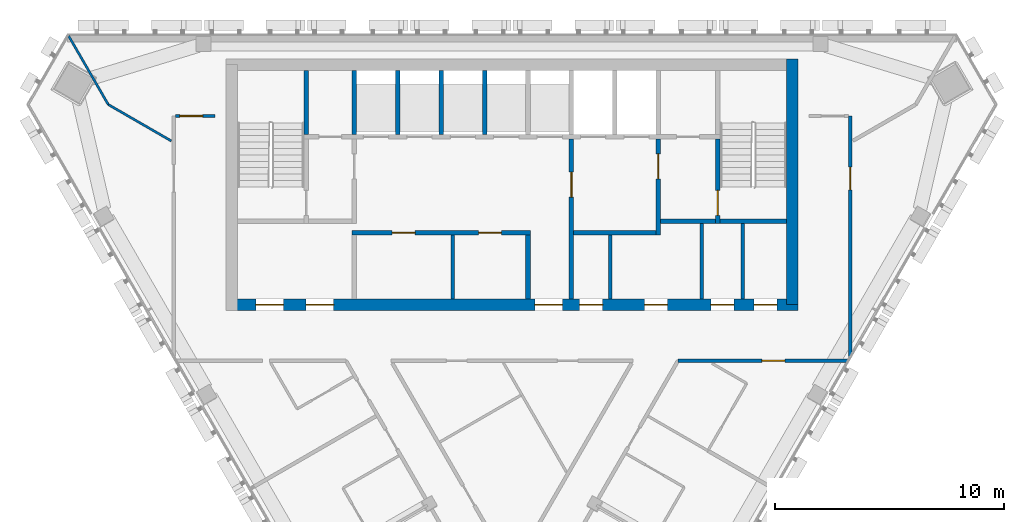
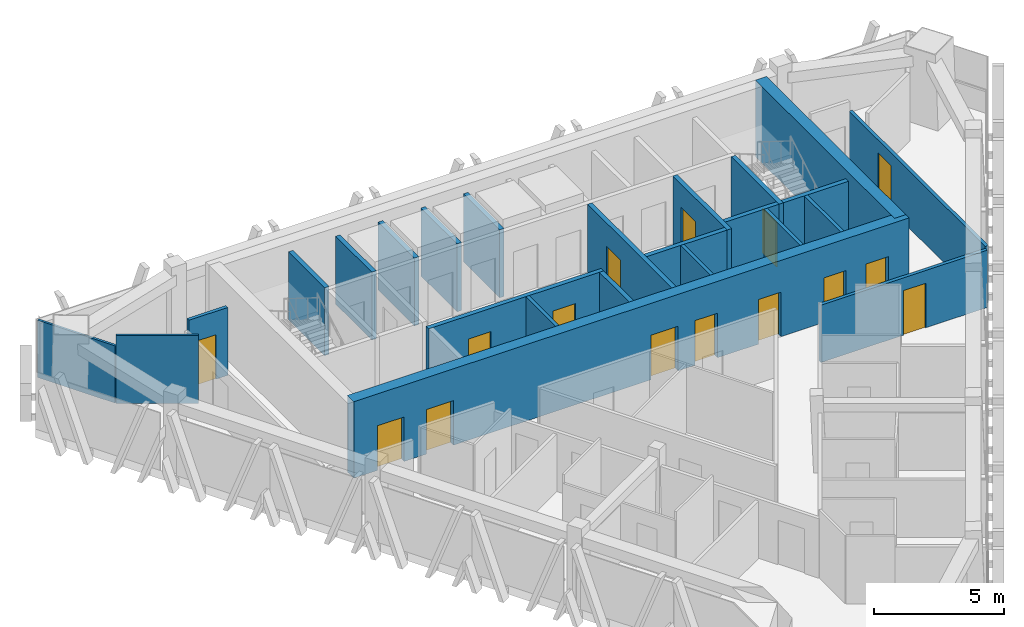
# One storey, part 7 of 11: 24 walls, 15 doors, 15 openings.
"""IFC4 building model written with IfcOpenShell, lengths in metres."""

from ifc_helpers import new_model, si_unit, direction, frame, frame_2d, origin, place, context, subcontext, project, spatial, rectangle, extrude, material, layer, layer_set, type_object, element, fill, save


model = new_model("IFC4")

# Units and contexts
model_context = context("Model", 3, precision=1e-05, world=origin(), true_north=direction((0.0, 1.0)))
body_context = subcontext(model_context, "Body", "Model", "MODEL_VIEW")
ifc_project = project(units=[si_unit("LENGTHUNIT", "METRE"), si_unit("AREAUNIT", "SQUARE_METRE"), si_unit("VOLUMEUNIT", "CUBIC_METRE"), si_unit("PLANEANGLEUNIT", "RADIAN"), si_unit("MASSUNIT", "GRAM", prefix="KILO")], contexts=[model_context])

# Site, building, storey
site_placement = place(None, origin())
site = spatial("IfcSite", under=ifc_project, at=site_placement, CompositionType="ELEMENT")
building_placement = place(site_placement, origin())
building = spatial("IfcBuilding", under=site, at=building_placement, Name="Altiplano Prism Tower", CompositionType="ELEMENT")
storey_placement = place(building_placement, frame((0.0, 0.0, 327.39990234375)))
storey = spatial("IfcBuildingStorey", under=building, at=storey_placement, Name="L85", CompositionType="ELEMENT", Elevation=327.39990234375)

# Wall, openings, doors
ifc_material_1 = material(Name="Concrete C60/75", Category="concrete")
ifc_layer_1 = layer(ifc_material_1, 0.5)
ifc_layer_set_1 = layer_set([ifc_layer_1], Name="Concrete C60/75")
wall_type_1 = type_object("IfcWallType", Name="Core wall 500", PredefinedType="SHEAR", material=ifc_layer_set_1)
wall_1_placement = place(storey_placement, frame((72.75, 93.14990234375, 0.0), z_axis=(0.0, 0.0, 1.0), x_axis=(1.0, 0.0, 0.0)))
wall_1 = element("IfcWall", 1, at=wall_1_placement, inside=storey, type_object=wall_type_1, Name="Core wall S L85", PredefinedType="SHEAR", context=body_context, shape_type="SweptSolid", body=[
    extrude(rectangle(XDim=24.75, YDim=0.5, at=frame_2d((12.375, 0.0))), origin(), (0.0, 0.0, 1.0), 3.60009765625),
])
opening_1_placement = place(wall_1_placement, frame((1.050048828125, 0.0, 0.0)))
opening_1 = element("IfcOpeningElement", 2, at=opening_1_placement, cuts=wall_1, Name="Opening D3789", PredefinedType="OPENING", context=body_context, shape_type="SweptSolid", body=[
    extrude(rectangle(XDim=1.199951171875, YDim=2.10009765625, at=frame_2d((0.60009765625, 1.050048828125))), frame((0.0, 0.260498046875, 0.0), z_axis=(0.0, -1.0, 0.0), x_axis=(1.0, 0.0, 0.0)), (0.0, 0.0, 1.0), 0.52099609375),
])
opening_2_placement = place(wall_1_placement, frame((3.25, 0.0, 0.0)))
opening_2 = element("IfcOpeningElement", 3, at=opening_2_placement, cuts=wall_1, Name="Opening D3790", PredefinedType="OPENING", context=body_context, shape_type="SweptSolid", body=[
    extrude(rectangle(XDim=1.199951171875, YDim=2.10009765625, at=frame_2d((0.60009765625, 1.050048828125))), frame((0.0, 0.260498046875, 0.0), z_axis=(0.0, -1.0, 0.0), x_axis=(1.0, 0.0, 0.0)), (0.0, 0.0, 1.0), 0.52099609375),
])
opening_3_placement = place(wall_1_placement, frame((13.25, 0.0, 0.0)))
opening_3 = element("IfcOpeningElement", 4, at=opening_3_placement, cuts=wall_1, Name="Opening D3791", PredefinedType="OPENING", context=body_context, shape_type="SweptSolid", body=[
    extrude(rectangle(XDim=1.199951171875, YDim=2.10009765625, at=frame_2d((0.60009765625, 1.050048828125))), frame((0.0, 0.260498046875, 0.0), z_axis=(0.0, -1.0, 0.0), x_axis=(1.0, 0.0, 0.0)), (0.0, 0.0, 1.0), 0.52099609375),
])
opening_4_placement = place(wall_1_placement, frame((15.21240234375, 0.0, 0.0)))
opening_4 = element("IfcOpeningElement", 5, at=opening_4_placement, cuts=wall_1, Name="Opening D3794", PredefinedType="OPENING", context=body_context, shape_type="SweptSolid", body=[
    extrude(rectangle(XDim=1.0, YDim=2.10009765625, at=frame_2d((0.5, 1.050048828125))), frame((0.0, 0.260498046875, 0.0), z_axis=(0.0, -1.0, 0.0), x_axis=(1.0, 0.0, 0.0)), (0.0, 0.0, 1.0), 0.52099609375),
])
opening_5_placement = place(wall_1_placement, frame((18.050048828125, 0.0, 0.0)))
opening_5 = element("IfcOpeningElement", 6, at=opening_5_placement, cuts=wall_1, Name="Opening D3795", PredefinedType="OPENING", context=body_context, shape_type="SweptSolid", body=[
    extrude(rectangle(XDim=1.0, YDim=2.10009765625, at=frame_2d((0.5, 1.050048828125))), frame((0.0, 0.260498046875, 0.0), z_axis=(0.0, -1.0, 0.0), x_axis=(1.0, 0.0, 0.0)), (0.0, 0.0, 1.0), 0.52099609375),
])
opening_6_placement = place(wall_1_placement, frame((20.949951171875, 0.0, 0.0)))
opening_6 = element("IfcOpeningElement", 7, at=opening_6_placement, cuts=wall_1, Name="Opening D3796", PredefinedType="OPENING", context=body_context, shape_type="SweptSolid", body=[
    extrude(rectangle(XDim=1.0, YDim=2.10009765625, at=frame_2d((0.5, 1.050048828125))), frame((0.0, 0.260498046875, 0.0), z_axis=(0.0, -1.0, 0.0), x_axis=(1.0, 0.0, 0.0)), (0.0, 0.0, 1.0), 0.52099609375),
])
opening_7_placement = place(wall_1_placement, frame((22.83740234375, 0.0, 0.0)))
opening_7 = element("IfcOpeningElement", 8, at=opening_7_placement, cuts=wall_1, Name="Opening D3797", PredefinedType="OPENING", context=body_context, shape_type="SweptSolid", body=[
    extrude(rectangle(XDim=1.0, YDim=2.10009765625, at=frame_2d((0.5, 1.050048828125))), frame((0.0, 0.260498046875, 0.0), z_axis=(0.0, -1.0, 0.0), x_axis=(1.0, 0.0, 0.0)), (0.0, 0.0, 1.0), 0.52099609375),
])
ifc_material_2 = material(Name="Fire-rated steel door", Category="steel")
door_type_1 = type_object("IfcDoorType", Name="Core room door 1000 x 2100", OperationType="NOTDEFINED", PredefinedType="NOTDEFINED", material=ifc_material_2)
door_1_placement = place(opening_4_placement, origin())
door_1 = element("IfcDoor", 9, at=door_1_placement, inside=storey, type_object=door_type_1, Name="Core room door D3794", OperationType="SINGLE_SWING_RIGHT", OverallHeight=2.10009765625, OverallWidth=1.0, PredefinedType="NOTDEFINED", context=body_context, shape_type="SweptSolid", body=[
    extrude(rectangle(XDim=1.0, YDim=2.10009765625, at=frame_2d((0.5, 1.050048828125))), frame((0.0, 0.02490234375, 0.0), z_axis=(0.0, -1.0, 0.0), x_axis=(1.0, 0.0, 0.0)), (0.0, 0.0, 1.0), 0.050048828125),
])
fill(opening_4, door_1)
door_2_placement = place(opening_5_placement, origin())
door_2 = element("IfcDoor", 10, at=door_2_placement, inside=storey, type_object=door_type_1, Name="Core room door D3795", OperationType="SINGLE_SWING_LEFT", OverallHeight=2.10009765625, OverallWidth=1.0, PredefinedType="NOTDEFINED", context=body_context, shape_type="SweptSolid", body=[
    extrude(rectangle(XDim=1.0, YDim=2.10009765625, at=frame_2d((0.5, 1.050048828125))), frame((0.0, 0.02490234375, 0.0), z_axis=(0.0, -1.0, 0.0), x_axis=(1.0, 0.0, 0.0)), (0.0, 0.0, 1.0), 0.050048828125),
])
fill(opening_5, door_2)
door_3_placement = place(opening_6_placement, origin())
door_3 = element("IfcDoor", 11, at=door_3_placement, inside=storey, type_object=door_type_1, Name="Core room door D3796", OperationType="SINGLE_SWING_RIGHT", OverallHeight=2.10009765625, OverallWidth=1.0, PredefinedType="NOTDEFINED", context=body_context, shape_type="SweptSolid", body=[
    extrude(rectangle(XDim=1.0, YDim=2.10009765625, at=frame_2d((0.5, 1.050048828125))), frame((0.0, 0.02490234375, 0.0), z_axis=(0.0, -1.0, 0.0), x_axis=(1.0, 0.0, 0.0)), (0.0, 0.0, 1.0), 0.050048828125),
])
fill(opening_6, door_3)
door_4_placement = place(opening_7_placement, origin())
door_4 = element("IfcDoor", 12, at=door_4_placement, inside=storey, type_object=door_type_1, Name="Core room door D3797", OperationType="SINGLE_SWING_LEFT", OverallHeight=2.10009765625, OverallWidth=1.0, PredefinedType="NOTDEFINED", context=body_context, shape_type="SweptSolid", body=[
    extrude(rectangle(XDim=1.0, YDim=2.10009765625, at=frame_2d((0.5, 1.050048828125))), frame((0.0, 0.02490234375, 0.0), z_axis=(0.0, -1.0, 0.0), x_axis=(1.0, 0.0, 0.0)), (0.0, 0.0, 1.0), 0.050048828125),
])
fill(opening_7, door_4)
door_type_2 = type_object("IfcDoorType", Name="Lobby fire door 1200 x 2100", OperationType="NOTDEFINED", PredefinedType="NOTDEFINED", material=ifc_material_2)
door_5_placement = place(opening_1_placement, origin())
door_5 = element("IfcDoor", 13, at=door_5_placement, inside=storey, type_object=door_type_2, Name="Lobby fire door D3789", OperationType="SINGLE_SWING_RIGHT", OverallHeight=2.10009765625, OverallWidth=1.199951171875, PredefinedType="NOTDEFINED", context=body_context, shape_type="SweptSolid", body=[
    extrude(rectangle(XDim=1.199951171875, YDim=2.10009765625, at=frame_2d((0.60009765625, 1.050048828125))), frame((0.0, 0.02490234375, 0.0), z_axis=(0.0, -1.0, 0.0), x_axis=(1.0, 0.0, 0.0)), (0.0, 0.0, 1.0), 0.050048828125),
])
fill(opening_1, door_5)
door_6_placement = place(opening_2_placement, origin())
door_6 = element("IfcDoor", 14, at=door_6_placement, inside=storey, type_object=door_type_2, Name="Lobby fire door D3790", OperationType="SINGLE_SWING_LEFT", OverallHeight=2.10009765625, OverallWidth=1.199951171875, PredefinedType="NOTDEFINED", context=body_context, shape_type="SweptSolid", body=[
    extrude(rectangle(XDim=1.199951171875, YDim=2.10009765625, at=frame_2d((0.60009765625, 1.050048828125))), frame((0.0, 0.02490234375, 0.0), z_axis=(0.0, -1.0, 0.0), x_axis=(1.0, 0.0, 0.0)), (0.0, 0.0, 1.0), 0.050048828125),
])
fill(opening_2, door_6)
door_7_placement = place(opening_3_placement, origin())
door_7 = element("IfcDoor", 15, at=door_7_placement, inside=storey, type_object=door_type_2, Name="Lobby fire door D3791", OperationType="SINGLE_SWING_RIGHT", OverallHeight=2.10009765625, OverallWidth=1.199951171875, PredefinedType="NOTDEFINED", context=body_context, shape_type="SweptSolid", body=[
    extrude(rectangle(XDim=1.199951171875, YDim=2.10009765625, at=frame_2d((0.60009765625, 1.050048828125))), frame((0.0, 0.02490234375, 0.0), z_axis=(0.0, -1.0, 0.0), x_axis=(1.0, 0.0, 0.0)), (0.0, 0.0, 1.0), 0.050048828125),
])
fill(opening_3, door_7)

# Walls
wall_2_placement = place(storey_placement, frame((97.25, 93.14990234375, 0.0), z_axis=(0.0, 0.0, 1.0), x_axis=(0.0, 1.0, 0.0)))
element("IfcWall", 16, at=wall_2_placement, inside=storey, type_object=wall_type_1, Name="Core wall E L85", PredefinedType="SHEAR", context=body_context, shape_type="SweptSolid", body=[
    extrude(rectangle(XDim=10.75, YDim=0.5, at=frame_2d((5.375, 0.0))), origin(), (0.0, 0.0, 1.0), 3.60009765625),
])
ifc_material_3 = material(Name="Plasterboard on steel stud", Category="steel")
ifc_layer_2 = layer(ifc_material_3, 0.10009765625)
ifc_layer_set_2 = layer_set([ifc_layer_2], Name="Plasterboard on steel stud")
wall_type_2 = type_object("IfcWallType", Name="Partition 100 wet", PredefinedType="PARTITIONING", material=ifc_layer_set_2)
wall_3_placement = place(storey_placement, frame((70.099609375, 100.31005859375, 0.0), z_axis=(0.0, 0.0, 1.0), x_axis=(-0.866011921086, 0.500023351992, 0.0)))
element("IfcWall", 17, at=wall_3_placement, inside=storey, type_object=wall_type_2, Name="Partition P03 L85 016", PredefinedType="PARTITIONING", context=body_context, shape_type="SweptSolid", body=[
    extrude(rectangle(XDim=3.183837890625, YDim=0.10009765625, at=frame_2d((1.591796875, 0.0))), origin(), (0.0, 0.0, 1.0), 3.2001953125),
])
wall_4_placement = place(storey_placement, frame((67.34228515625, 101.902099609375, 0.0), z_axis=(0.0, 0.0, 1.0), x_axis=(-0.50003787499, 0.866003535544, 0.0)))
element("IfcWall", 18, at=wall_4_placement, inside=storey, type_object=wall_type_2, Name="Partition P03 L85 017", PredefinedType="PARTITIONING", context=body_context, shape_type="SweptSolid", body=[
    extrude(rectangle(XDim=3.461669921875, YDim=0.10009765625, at=frame_2d((1.73095703125, 0.0))), origin(), (0.0, 0.0, 1.0), 2.7001953125),
])

# Wall, opening, door
ifc_layer_3 = layer(ifc_material_3, 0.14990234375)
ifc_layer_set_3 = layer_set([ifc_layer_3], Name="Plasterboard on steel stud")
wall_type_3 = type_object("IfcWallType", Name="Partition 150 corridor", PredefinedType="PARTITIONING", material=ifc_layer_set_3)
wall_5_placement = place(storey_placement, frame((92.261962890625, 90.699951171875, 0.0), z_axis=(0.0, 0.0, 1.0), x_axis=(1.0, 0.0, 0.0)))
wall_5 = element("IfcWall", 19, at=wall_5_placement, inside=storey, type_object=wall_type_3, Name="Partition P06 L85 009", PredefinedType="PARTITIONING", context=body_context, shape_type="SweptSolid", body=[
    extrude(rectangle(XDim=7.41943359375, YDim=0.14990234375, at=frame_2d((3.709716796875, 0.0))), origin(), (0.0, 0.0, 1.0), 2.7001953125),
])
opening_8_placement = place(wall_5_placement, frame((3.66796875, 0.0, 0.0)))
opening_8 = element("IfcOpeningElement", 20, at=opening_8_placement, cuts=wall_5, Name="Opening D2478", PredefinedType="OPENING", context=body_context, shape_type="SweptSolid", body=[
    extrude(rectangle(XDim=1.0, YDim=2.10009765625, at=frame_2d((0.5, 1.050048828125))), frame((0.0, 0.08544921875, 0.0), z_axis=(0.0, -1.0, 0.0), x_axis=(1.0, 0.0, 0.0)), (0.0, 0.0, 1.0), 0.1708984375),
])
ifc_material_4 = material(Name="Timber", Category="wood")
door_type_3 = type_object("IfcDoorType", Name="Bedroom entrance door 1000 x 2100", OperationType="NOTDEFINED", PredefinedType="NOTDEFINED", material=ifc_material_4)
door_8_placement = place(opening_8_placement, origin())
door_8 = element("IfcDoor", 21, at=door_8_placement, inside=storey, type_object=door_type_3, Name="Door D2478", OperationType="SINGLE_SWING_RIGHT", OverallHeight=2.10009765625, OverallWidth=1.0, PredefinedType="NOTDEFINED", context=body_context, shape_type="SweptSolid", body=[
    extrude(rectangle(XDim=1.0, YDim=2.10009765625, at=frame_2d((0.5, 1.050048828125))), frame((0.0, 0.02490234375, 0.0), z_axis=(0.0, -1.0, 0.0), x_axis=(1.0, 0.0, 0.0)), (0.0, 0.0, 1.0), 0.050048828125),
])
fill(opening_8, door_8)

wall_6_placement = place(storey_placement, frame((99.802978515625, 90.88134765625, 0.0), z_axis=(0.0, 0.0, 1.0), x_axis=(-0.000232083172, 0.999999973069, 0.0)))
wall_6 = element("IfcWall", 22, at=wall_6_placement, inside=storey, type_object=wall_type_3, Name="Partition P06 L85 010", PredefinedType="PARTITIONING", context=body_context, shape_type="SweptSolid", body=[
    extrude(rectangle(XDim=10.51953125, YDim=0.14990234375, at=frame_2d((5.259765625, 0.0))), origin(), (0.0, 0.0, 1.0), 2.7001953125),
])
opening_9_placement = place(wall_6_placement, frame((7.2890625, 0.0, 0.0)))
opening_9 = element("IfcOpeningElement", 23, at=opening_9_placement, cuts=wall_6, Name="Opening D2480", PredefinedType="OPENING", context=body_context, shape_type="SweptSolid", body=[
    extrude(rectangle(XDim=1.0, YDim=2.10009765625, at=frame_2d((0.5, 1.050048828125))), frame((0.0, 0.08544921875, 0.0), z_axis=(0.0, -1.0, 0.0), x_axis=(1.0, 0.0, 0.0)), (0.0, 0.0, 1.0), 0.1708984375),
])
door_type_4 = type_object("IfcDoorType", Name="Room door 1000 x 2100", OperationType="NOTDEFINED", PredefinedType="NOTDEFINED", material=ifc_material_4)
door_9_placement = place(opening_9_placement, origin())
door_9 = element("IfcDoor", 24, at=door_9_placement, inside=storey, type_object=door_type_4, Name="Door D2480", OperationType="SINGLE_SWING_LEFT", OverallHeight=2.10009765625, OverallWidth=1.0, PredefinedType="NOTDEFINED", context=body_context, shape_type="SweptSolid", body=[
    extrude(rectangle(XDim=1.0, YDim=2.10009765625, at=frame_2d((0.5, 1.050048828125))), frame((0.0, 0.02490234375, 0.0), z_axis=(0.0, -1.0, 0.0), x_axis=(1.0, 0.0, 0.0)), (0.0, 0.0, 1.0), 0.050048828125),
])
fill(opening_9, door_9)

wall_7_placement = place(storey_placement, frame((72.0, 101.40087890625, 0.0), z_axis=(0.0, 0.0, 1.0), x_axis=(-1.0, 0.0, 0.0)))
wall_7 = element("IfcWall", 25, at=wall_7_placement, inside=storey, type_object=wall_type_3, Name="Partition P06 L85 012", PredefinedType="PARTITIONING", context=body_context, shape_type="SweptSolid", body=[
    extrude(rectangle(XDim=1.7255859375, YDim=0.14990234375, at=frame_2d((0.86279296875, 0.0))), origin(), (0.0, 0.0, 1.0), 3.2001953125),
])
opening_10_placement = place(wall_7_placement, frame((0.52587890625, 0.0, 0.0)))
opening_10 = element("IfcOpeningElement", 26, at=opening_10_placement, cuts=wall_7, Name="Opening D2482", PredefinedType="OPENING", context=body_context, shape_type="SweptSolid", body=[
    extrude(rectangle(XDim=1.0, YDim=2.10009765625, at=frame_2d((0.5, 1.050048828125))), frame((0.0, 0.08544921875, 0.0), z_axis=(0.0, -1.0, 0.0), x_axis=(1.0, 0.0, 0.0)), (0.0, 0.0, 1.0), 0.1708984375),
])
door_type_5 = type_object("IfcDoorType", Name="Store door 1000 x 2100", OperationType="NOTDEFINED", PredefinedType="NOTDEFINED", material=ifc_material_4)
door_10_placement = place(opening_10_placement, origin())
door_10 = element("IfcDoor", 27, at=door_10_placement, inside=storey, type_object=door_type_5, Name="Door D2482", OperationType="SINGLE_SWING_RIGHT", OverallHeight=2.10009765625, OverallWidth=1.0, PredefinedType="NOTDEFINED", context=body_context, shape_type="SweptSolid", body=[
    extrude(rectangle(XDim=1.0, YDim=2.10009765625, at=frame_2d((0.5, 1.050048828125))), frame((0.0, 0.02490234375, 0.0), z_axis=(0.0, -1.0, 0.0), x_axis=(1.0, 0.0, 0.0)), (0.0, 0.0, 1.0), 0.050048828125),
])
fill(opening_10, door_10)

# Walls
ifc_material_5 = material(Name="Fire-rated gypsum board partition")
ifc_layer_4 = layer(ifc_material_5, 0.14990234375)
ifc_layer_set_4 = layer_set([ifc_layer_4], Name="Fire-rated gypsum board partition")
wall_type_4 = type_object("IfcWallType", Name="Room partition 150", PredefinedType="PARTITIONING", material=ifc_layer_set_4)
for number, where, z_axis, x_axis, name in (
    (28, (82.39990234375, 93.39990234375, 0.0), (0.0, 0.0, 1.0), (0.0, 1.0, 0.0), "Room partition L85"),
    (29, (89.300048828125, 93.39990234375, 0.0), (0.0, 0.0, 1.0), (0.0, 1.0, 0.0), "Room partition L85"),
):
    element("IfcWall", number, at=place(storey_placement, frame(where, z_axis=z_axis, x_axis=x_axis)), inside=storey, type_object=wall_type_4, Name=name, PredefinedType="PARTITIONING", context=body_context, shape_type="SweptSolid", body=[
        extrude(rectangle(XDim=2.800048828125, YDim=0.14990234375, at=frame_2d((1.39990234375, 0.0))), origin(), (0.0, 0.0, 1.0), 3.2001953125),
    ])
for number, where, z_axis, x_axis, name in (
    (30, (93.300048828125, 93.39990234375, 0.0), (0.0, 0.0, 1.0), (0.0, 1.0, 0.0), "Room partition L85"),
    (31, (95.10009765625, 93.39990234375, 0.0), (0.0, 0.0, 1.0), (0.0, 1.0, 0.0), "Room partition L85"),
):
    element("IfcWall", number, at=place(storey_placement, frame(where, z_axis=z_axis, x_axis=x_axis)), inside=storey, type_object=wall_type_4, Name=name, PredefinedType="PARTITIONING", context=body_context, shape_type="SweptSolid", body=[
        extrude(rectangle(XDim=3.300048828125, YDim=0.14990234375, at=frame_2d((1.64990234375, 0.0))), origin(), (0.0, 0.0, 1.0), 3.2001953125),
    ])
ifc_layer_5 = layer(ifc_material_1, 0.199951171875)
ifc_layer_set_5 = layer_set([ifc_layer_5], Name="Concrete C60/75")
wall_type_5 = type_object("IfcWallType", Name="Shaft wall 200", PredefinedType="SOLIDWALL", material=ifc_layer_set_5)
for number, where, z_axis, x_axis, name in (
    (32, (78.10009765625, 100.60009765625, 0.0), (0.0, 0.0, 1.0), (0.0, 1.0, 0.0), "Shaft wall L85"),
    (33, (80.0, 100.60009765625, 0.0), (0.0, 0.0, 1.0), (0.0, 1.0, 0.0), "Shaft wall L85"),
    (34, (81.89990234375, 100.60009765625, 0.0), (0.0, 0.0, 1.0), (0.0, 1.0, 0.0), "Shaft wall L85"),
    (35, (83.800048828125, 100.60009765625, 0.0), (0.0, 0.0, 1.0), (0.0, 1.0, 0.0), "Shaft wall L85"),
):
    element("IfcWall", number, at=place(storey_placement, frame(where, z_axis=z_axis, x_axis=x_axis)), inside=storey, type_object=wall_type_5, Name=name, PredefinedType="SOLIDWALL", context=body_context, shape_type="SweptSolid", body=[
        extrude(rectangle(XDim=2.7998046875, YDim=0.199951171875, at=frame_2d((1.39990234375, 0.0))), origin(), (0.0, 0.0, 1.0), 3.2001953125),
    ])

# Wall, opening, door
ifc_layer_6 = layer(ifc_material_1, 0.199951171875)
ifc_layer_set_6 = layer_set([ifc_layer_6], Name="Concrete C60/75")
wall_type_6 = type_object("IfcWallType", Name="Stair wall 200", PredefinedType="SOLIDWALL", material=ifc_layer_set_6)
wall_8_placement = place(storey_placement, frame((94.0, 96.699951171875, 0.0), z_axis=(0.0, 0.0, 1.0), x_axis=(0.0, 1.0, 0.0)))
wall_8 = element("IfcWall", 36, at=wall_8_placement, inside=storey, type_object=wall_type_6, Name="Stair wall L85", PredefinedType="SOLIDWALL", context=body_context, shape_type="SweptSolid", body=[
    extrude(rectangle(XDim=3.699951171875, YDim=0.199951171875, at=frame_2d((1.85009765625, 0.0))), origin(), (0.0, 0.0, 1.0), 3.2001953125),
])
opening_11_placement = place(wall_8_placement, frame((0.35009765625, 0.0, 0.0)))
opening_11 = element("IfcOpeningElement", 37, at=opening_11_placement, cuts=wall_8, Name="Opening D3785", PredefinedType="OPENING", context=body_context, shape_type="SweptSolid", body=[
    extrude(rectangle(XDim=1.10009765625, YDim=2.10009765625, at=frame_2d((0.550048828125, 1.050048828125))), frame((0.0, 0.1103515625, 0.0), z_axis=(0.0, -1.0, 0.0), x_axis=(1.0, 0.0, 0.0)), (0.0, 0.0, 1.0), 0.220947265625),
])
door_type_6 = type_object("IfcDoorType", Name="Stair fire door 1100 x 2100", OperationType="NOTDEFINED", PredefinedType="NOTDEFINED", material=ifc_material_2)
door_11_placement = place(opening_11_placement, origin())
door_11 = element("IfcDoor", 38, at=door_11_placement, inside=storey, type_object=door_type_6, Name="Stair fire door D3785", OperationType="SINGLE_SWING_LEFT", OverallHeight=2.10009765625, OverallWidth=1.10009765625, PredefinedType="NOTDEFINED", context=body_context, shape_type="SweptSolid", body=[
    extrude(rectangle(XDim=1.10009765625, YDim=2.10009765625, at=frame_2d((0.550048828125, 1.050048828125))), frame((0.0, 0.02490234375, 0.0), z_axis=(0.0, -1.0, 0.0), x_axis=(1.0, 0.0, 0.0)), (0.0, 0.0, 1.0), 0.050048828125),
])
fill(opening_11, door_11)

# Walls
wall_9_placement = place(storey_placement, frame((94.10009765625, 96.800048828125, 0.0), z_axis=(0.0, 0.0, 1.0), x_axis=(1.0, 0.0, 0.0)))
element("IfcWall", 39, at=wall_9_placement, inside=storey, type_object=wall_type_6, Name="Stair wall L85", PredefinedType="SOLIDWALL", context=body_context, shape_type="SweptSolid", body=[
    extrude(rectangle(XDim=2.89990234375, YDim=0.199951171875, at=frame_2d((1.449951171875, 0.0))), origin(), (0.0, 0.0, 1.0), 3.2001953125),
])
wall_10_placement = place(storey_placement, frame((76.0, 100.60009765625, 0.0), z_axis=(0.0, 0.0, 1.0), x_axis=(0.0, 1.0, 0.0)))
element("IfcWall", 40, at=wall_10_placement, inside=storey, type_object=wall_type_6, Name="Stair wall L85", PredefinedType="SOLIDWALL", context=body_context, shape_type="SweptSolid", body=[
    extrude(rectangle(XDim=2.7998046875, YDim=0.199951171875, at=frame_2d((1.39990234375, 0.0))), origin(), (0.0, 0.0, 1.0), 3.2001953125),
])
ifc_layer_7 = layer(ifc_material_1, 0.199951171875)
ifc_layer_set_7 = layer_set([ifc_layer_7], Name="Concrete C60/75")
wall_type_7 = type_object("IfcWallType", Name="Vestibule wall 200", PredefinedType="PARTITIONING", material=ifc_layer_set_7)
wall_11_placement = place(storey_placement, frame((85.699951171875, 93.39990234375, 0.0), z_axis=(0.0, 0.0, 1.0), x_axis=(0.0, 1.0, 0.0)))
element("IfcWall", 41, at=wall_11_placement, inside=storey, type_object=wall_type_7, Name="Vestibule wall L85", PredefinedType="PARTITIONING", context=body_context, shape_type="SweptSolid", body=[
    extrude(rectangle(XDim=2.800048828125, YDim=0.199951171875, at=frame_2d((1.39990234375, 0.0))), origin(), (0.0, 0.0, 1.0), 3.2001953125),
])

# Wall, opening, door
wall_12_placement = place(storey_placement, frame((87.60009765625, 93.39990234375, 0.0), z_axis=(0.0, 0.0, 1.0), x_axis=(0.0, 1.0, 0.0)))
wall_12 = element("IfcWall", 42, at=wall_12_placement, inside=storey, type_object=wall_type_7, Name="Vestibule wall L85", PredefinedType="PARTITIONING", context=body_context, shape_type="SweptSolid", body=[
    extrude(rectangle(XDim=7.0, YDim=0.199951171875, at=frame_2d((3.5, 0.0))), origin(), (0.0, 0.0, 1.0), 3.2001953125),
])
opening_12_placement = place(wall_12_placement, frame((4.449951171875, 0.0, 0.0)))
opening_12 = element("IfcOpeningElement", 43, at=opening_12_placement, cuts=wall_12, Name="Opening D3787", PredefinedType="OPENING", context=body_context, shape_type="SweptSolid", body=[
    extrude(rectangle(XDim=1.10009765625, YDim=2.10009765625, at=frame_2d((0.550048828125, 1.050048828125))), frame((0.0, 0.1103515625, 0.0), z_axis=(0.0, -1.0, 0.0), x_axis=(1.0, 0.0, 0.0)), (0.0, 0.0, 1.0), 0.220947265625),
])
door_type_7 = type_object("IfcDoorType", Name="Vestibule fire door 1100 x 2100", OperationType="NOTDEFINED", PredefinedType="NOTDEFINED", material=ifc_material_2)
door_12_placement = place(opening_12_placement, origin())
door_12 = element("IfcDoor", 44, at=door_12_placement, inside=storey, type_object=door_type_7, Name="Vestibule fire door D3787", OperationType="SINGLE_SWING_RIGHT", OverallHeight=2.10009765625, OverallWidth=1.10009765625, PredefinedType="NOTDEFINED", context=body_context, shape_type="SweptSolid", body=[
    extrude(rectangle(XDim=1.10009765625, YDim=2.10009765625, at=frame_2d((0.550048828125, 1.050048828125))), frame((0.0, 0.02490234375, 0.0), z_axis=(0.0, -1.0, 0.0), x_axis=(1.0, 0.0, 0.0)), (0.0, 0.0, 1.0), 0.050048828125),
])
fill(opening_12, door_12)

# Wall, openings, doors
wall_13_placement = place(storey_placement, frame((78.0, 96.300048828125, 0.0), z_axis=(0.0, 0.0, 1.0), x_axis=(1.0, 0.0, 0.0)))
wall_13 = element("IfcWall", 45, at=wall_13_placement, inside=storey, type_object=wall_type_7, Name="Vestibule wall L85", PredefinedType="PARTITIONING", context=body_context, shape_type="SweptSolid", body=[
    extrude(rectangle(XDim=7.800048828125, YDim=0.199951171875, at=frame_2d((3.89990234375, 0.0))), origin(), (0.0, 0.0, 1.0), 3.2001953125),
])
opening_13_placement = place(wall_13_placement, frame((1.762451171875, 0.0, 0.0)))
opening_13 = element("IfcOpeningElement", 46, at=opening_13_placement, cuts=wall_13, Name="Opening D3798", PredefinedType="OPENING", context=body_context, shape_type="SweptSolid", body=[
    extrude(rectangle(XDim=1.0, YDim=2.10009765625, at=frame_2d((0.5, 1.050048828125))), frame((0.0, 0.1103515625, 0.0), z_axis=(0.0, -1.0, 0.0), x_axis=(1.0, 0.0, 0.0)), (0.0, 0.0, 1.0), 0.220947265625),
])
opening_14_placement = place(wall_13_placement, frame((5.53759765625, 0.0, 0.0)))
opening_14 = element("IfcOpeningElement", 47, at=opening_14_placement, cuts=wall_13, Name="Opening D3799", PredefinedType="OPENING", context=body_context, shape_type="SweptSolid", body=[
    extrude(rectangle(XDim=1.0, YDim=2.10009765625, at=frame_2d((0.5, 1.050048828125))), frame((0.0, 0.1103515625, 0.0), z_axis=(0.0, -1.0, 0.0), x_axis=(1.0, 0.0, 0.0)), (0.0, 0.0, 1.0), 0.220947265625),
])
door_13_placement = place(opening_13_placement, origin())
door_13 = element("IfcDoor", 48, at=door_13_placement, inside=storey, type_object=door_type_1, Name="Core room door D3798", OperationType="SINGLE_SWING_RIGHT", OverallHeight=2.10009765625, OverallWidth=1.0, PredefinedType="NOTDEFINED", context=body_context, shape_type="SweptSolid", body=[
    extrude(rectangle(XDim=1.0, YDim=2.10009765625, at=frame_2d((0.5, 1.050048828125))), frame((0.0, 0.02490234375, 0.0), z_axis=(0.0, -1.0, 0.0), x_axis=(1.0, 0.0, 0.0)), (0.0, 0.0, 1.0), 0.050048828125),
])
fill(opening_13, door_13)
door_14_placement = place(opening_14_placement, origin())
door_14 = element("IfcDoor", 49, at=door_14_placement, inside=storey, type_object=door_type_1, Name="Core room door D3799", OperationType="SINGLE_SWING_RIGHT", OverallHeight=2.10009765625, OverallWidth=1.0, PredefinedType="NOTDEFINED", context=body_context, shape_type="SweptSolid", body=[
    extrude(rectangle(XDim=1.0, YDim=2.10009765625, at=frame_2d((0.5, 1.050048828125))), frame((0.0, 0.02490234375, 0.0), z_axis=(0.0, -1.0, 0.0), x_axis=(1.0, 0.0, 0.0)), (0.0, 0.0, 1.0), 0.050048828125),
])
fill(opening_14, door_14)

# Wall
wall_14_placement = place(storey_placement, frame((87.699951171875, 96.300048828125, 0.0), z_axis=(0.0, 0.0, 1.0), x_axis=(1.0, 0.0, 0.0)))
element("IfcWall", 50, at=wall_14_placement, inside=storey, type_object=wall_type_7, Name="Vestibule wall L85", PredefinedType="PARTITIONING", context=body_context, shape_type="SweptSolid", body=[
    extrude(rectangle(XDim=3.60009765625, YDim=0.199951171875, at=frame_2d((1.800048828125, 0.0))), origin(), (0.0, 0.0, 1.0), 3.2001953125),
])

# Wall, opening, door
wall_15_placement = place(storey_placement, frame((91.39990234375, 96.199951171875, 0.0), z_axis=(0.0, 0.0, 1.0), x_axis=(0.0, 1.0, 0.0)))
wall_15 = element("IfcWall", 51, at=wall_15_placement, inside=storey, type_object=wall_type_7, Name="Vestibule wall L85", PredefinedType="PARTITIONING", context=body_context, shape_type="SweptSolid", body=[
    extrude(rectangle(XDim=4.199951171875, YDim=0.199951171875, at=frame_2d((2.10009765625, 0.0))), origin(), (0.0, 0.0, 1.0), 3.2001953125),
])
opening_15_placement = place(wall_15_placement, frame((2.449951171875, 0.0, 0.0)))
opening_15 = element("IfcOpeningElement", 52, at=opening_15_placement, cuts=wall_15, Name="Opening D3788", PredefinedType="OPENING", context=body_context, shape_type="SweptSolid", body=[
    extrude(rectangle(XDim=1.10009765625, YDim=2.10009765625, at=frame_2d((0.550048828125, 1.050048828125))), frame((0.0, 0.1103515625, 0.0), z_axis=(0.0, -1.0, 0.0), x_axis=(1.0, 0.0, 0.0)), (0.0, 0.0, 1.0), 0.220947265625),
])
door_15_placement = place(opening_15_placement, origin())
door_15 = element("IfcDoor", 53, at=door_15_placement, inside=storey, type_object=door_type_7, Name="Vestibule fire door D3788", OperationType="SINGLE_SWING_LEFT", OverallHeight=2.10009765625, OverallWidth=1.10009765625, PredefinedType="NOTDEFINED", context=body_context, shape_type="SweptSolid", body=[
    extrude(rectangle(XDim=1.10009765625, YDim=2.10009765625, at=frame_2d((0.550048828125, 1.050048828125))), frame((0.0, 0.02490234375, 0.0), z_axis=(0.0, -1.0, 0.0), x_axis=(1.0, 0.0, 0.0)), (0.0, 0.0, 1.0), 0.050048828125),
])
fill(opening_15, door_15)

# Wall
wall_16_placement = place(storey_placement, frame((91.5, 96.800048828125, 0.0), z_axis=(0.0, 0.0, 1.0), x_axis=(1.0, 0.0, 0.0)))
element("IfcWall", 54, at=wall_16_placement, inside=storey, type_object=wall_type_7, Name="Vestibule wall L85", PredefinedType="PARTITIONING", context=body_context, shape_type="SweptSolid", body=[
    extrude(rectangle(XDim=2.39990234375, YDim=0.199951171875, at=frame_2d((1.199951171875, 0.0))), origin(), (0.0, 0.0, 1.0), 3.2001953125),
])

save(model, "model.ifc")
